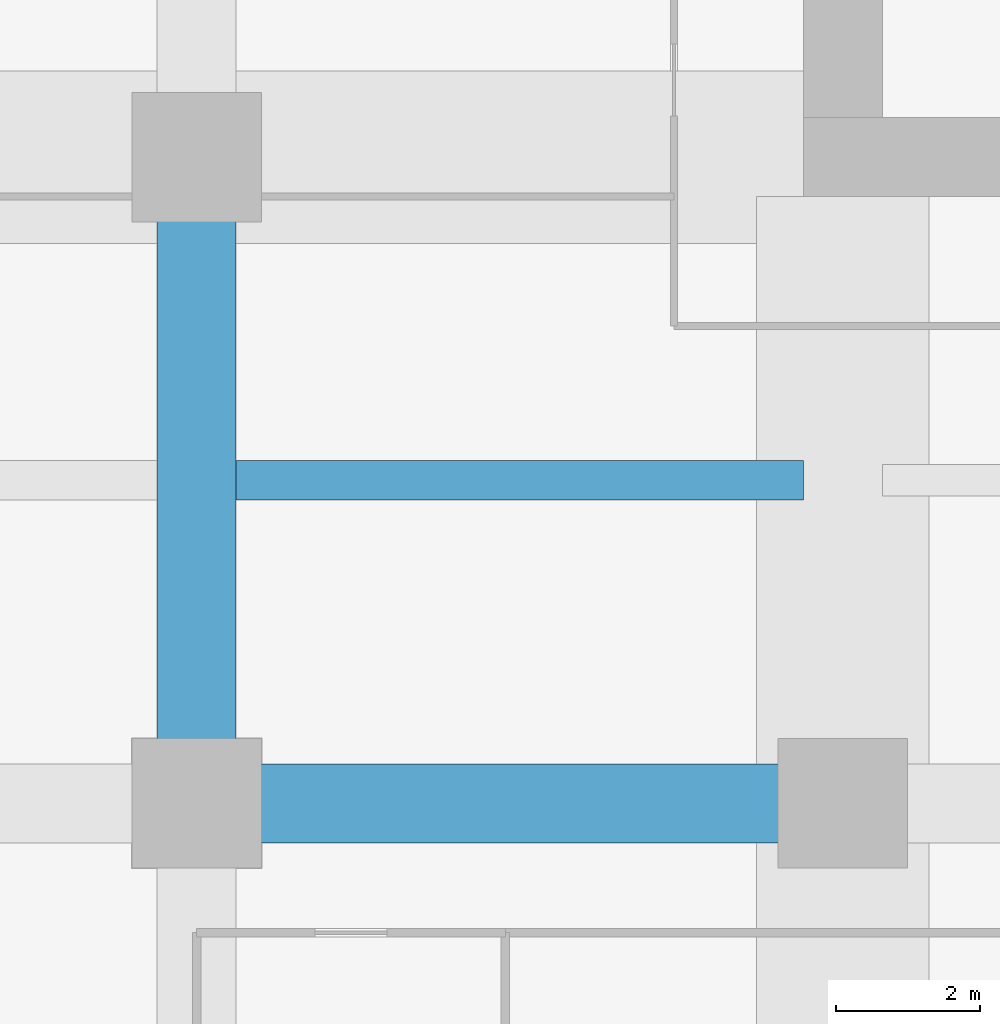
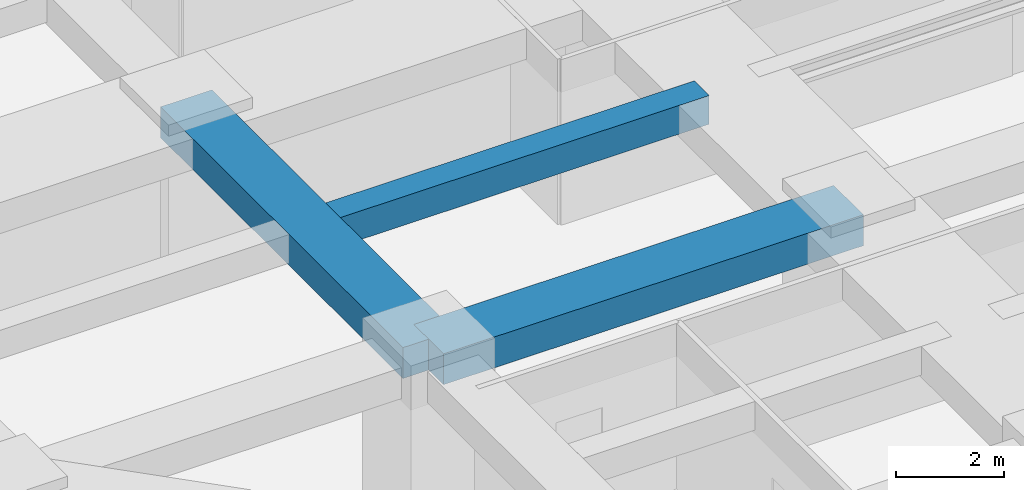
# One storey, part 5 of 42: 3 beams.
"""IFC4 building model written with IfcOpenShell, lengths in metres."""

from ifc_helpers import new_model, si_unit, direction, frame, origin, origin_2d, place, context, subcontext, project, spatial, rectangle, extrude, material, material_profile, profile_set, type_object, element, save


model = new_model("IFC4")

# Units and contexts
model_context = context("Model", 3, precision=1e-05, world=origin(), true_north=direction((0.0, 1.0)))
body_context = subcontext(model_context, "Body", "Model", "MODEL_VIEW")
ifc_project = project(units=[si_unit("LENGTHUNIT", "METRE"), si_unit("AREAUNIT", "SQUARE_METRE"), si_unit("VOLUMEUNIT", "CUBIC_METRE"), si_unit("PLANEANGLEUNIT", "RADIAN"), si_unit("MASSUNIT", "GRAM", prefix="KILO")], contexts=[model_context])

# Site, building, storey
site_placement = place(None, origin())
site = spatial("IfcSite", under=ifc_project, at=site_placement, CompositionType="ELEMENT")
building_placement = place(site_placement, origin())
building = spatial("IfcBuilding", under=site, at=building_placement, Name="Zorevar Civic Tower", CompositionType="ELEMENT")
storey_placement = place(building_placement, frame((0.0, 0.0, 149.0)))
storey = spatial("IfcBuildingStorey", under=building, at=storey_placement, Name="L36", CompositionType="ELEMENT", Elevation=149.0)

# Beams
ifc_material_1 = material(Name="Concrete C50/60", Category="concrete")
ifc_material_profile_1 = material_profile(ifc_material_1, rectangle(XDim=1.10009765625, YDim=0.699951171875, at=origin_2d()), Name="RC 1100x700")
ifc_profile_set_1 = profile_set([ifc_material_profile_1], Name="Concrete C50/60")
beam_type_1 = type_object("IfcBeamType", Name="Beam RC 1100x700", PredefinedType="BEAM", material=ifc_profile_set_1)
for number, where, z_axis, x_axis, name in (
    (1, (9.0, 9.0, 3.39990234375), (1.0, 0.0, 0.0), (0.0, 1.0, 0.0), "Girder L37"),
    (2, (9.0, 9.0, 3.39990234375), (0.0, 1.0, 0.0), (-1.0, 0.0, 0.0), "Girder L37"),
):
    element("IfcBeam", number, at=place(storey_placement, frame(where, z_axis=z_axis, x_axis=x_axis)), inside=storey, type_object=beam_type_1, Name=name, PredefinedType="BEAM", context=body_context, shape_type="SweptSolid", body=[
        extrude(rectangle(XDim=1.10009765625, YDim=0.699951171875, at=origin_2d()), origin(), (0.0, 0.0, 1.0), 9.0),
    ])
ifc_material_2 = material(Name="Concrete C50/60", Category="concrete")
ifc_material_profile_2 = material_profile(ifc_material_2, rectangle(XDim=0.550048828125, YDim=0.64990234375, at=origin_2d()), Name="RC 550x650")
ifc_profile_set_2 = profile_set([ifc_material_profile_2], Name="Concrete C50/60")
beam_type_2 = type_object("IfcBeamType", Name="Beam RC 550x650", PredefinedType="BEAM", material=ifc_profile_set_2)
beam_placement = place(storey_placement, frame((9.550048828125, 13.5, 3.425048828125), z_axis=(1.0, 0.0, 0.0), x_axis=(0.0, 1.0, 0.0)))
element("IfcBeam", 3, at=beam_placement, inside=storey, type_object=beam_type_2, Name="Secondary beam L37", PredefinedType="BEAM", context=body_context, shape_type="SweptSolid", body=[
    extrude(rectangle(XDim=0.550048828125, YDim=0.64990234375, at=origin_2d()), origin(), (0.0, 0.0, 1.0), 7.89990234375),
])

save(model, "model.ifc")
